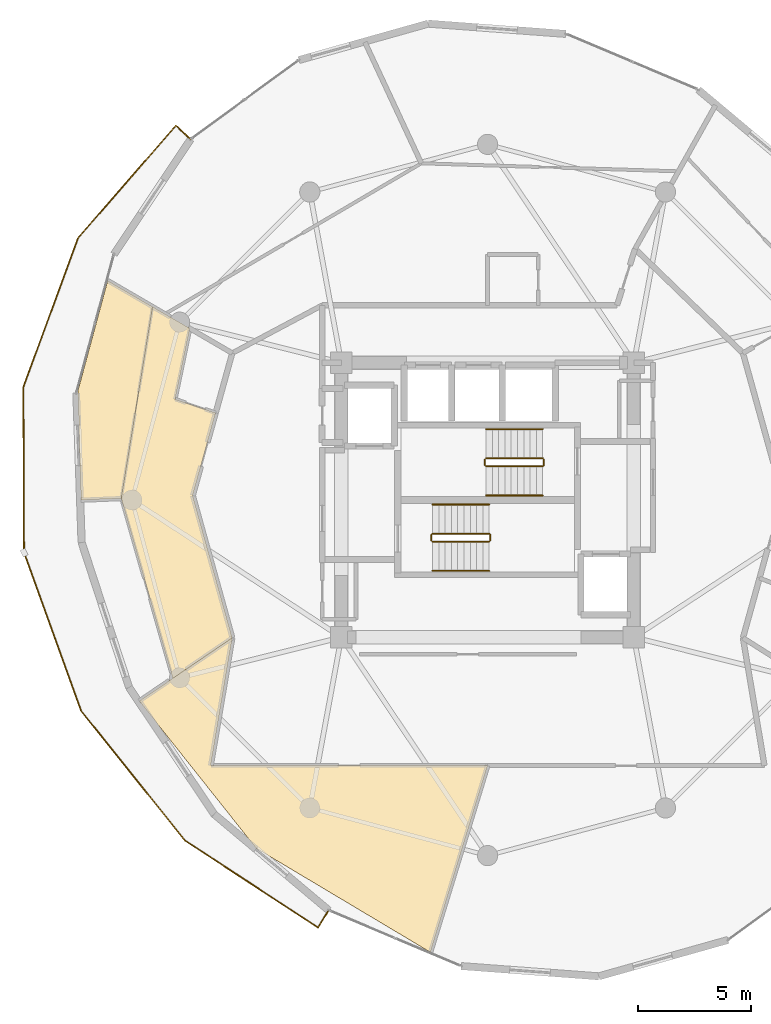
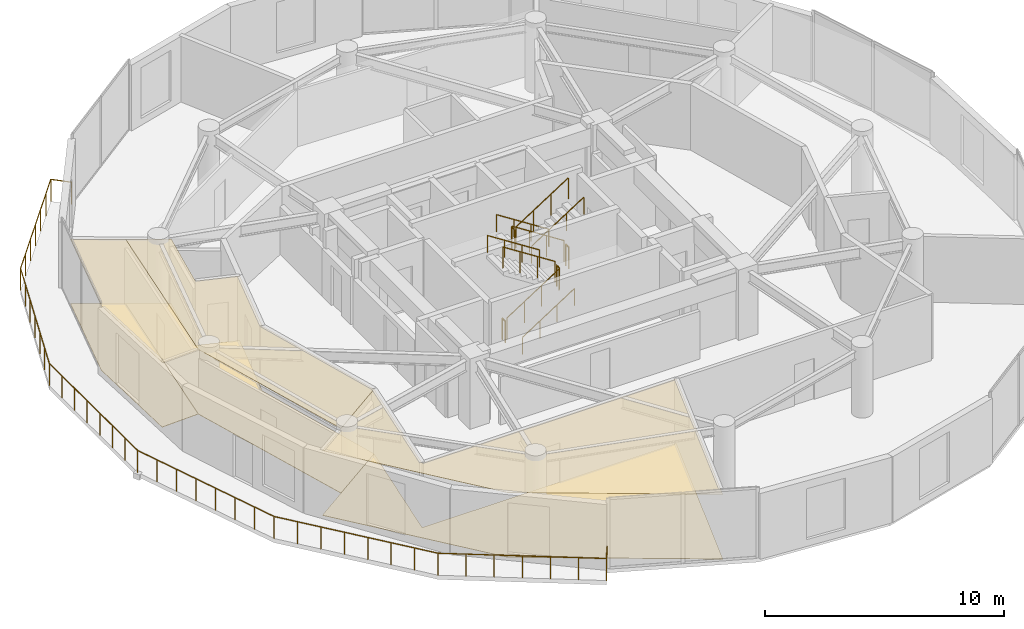
# One storey, part 17 of 18: 13 railings, 6 coverings.
"""IFC4 building model written with IfcOpenShell, lengths in metres."""

from ifc_helpers import new_model, si_unit, direction, frame, origin, origin_2d, place, context, subcontext, project, spatial, polyline, circle, outline, extrude, material, layer, layer_set, type_object, element, save


model = new_model("IFC4")

# Units and contexts
model_context = context("Model", 3, precision=1e-05, world=origin(), true_north=direction((0.0, 1.0)))
body_context = subcontext(model_context, "Body", "Model", "MODEL_VIEW")
ifc_project = project(units=[si_unit("LENGTHUNIT", "METRE"), si_unit("AREAUNIT", "SQUARE_METRE"), si_unit("VOLUMEUNIT", "CUBIC_METRE"), si_unit("PLANEANGLEUNIT", "RADIAN"), si_unit("MASSUNIT", "GRAM", prefix="KILO")], contexts=[model_context])

# Site, building, storey
site_placement = place(None, origin())
site = spatial("IfcSite", under=ifc_project, at=site_placement, CompositionType="ELEMENT")
building_placement = place(site_placement, origin())
building = spatial("IfcBuilding", under=site, at=building_placement, Name="Solvirekh Grand Hotel", CompositionType="ELEMENT")
storey_placement = place(building_placement, frame((0.0, 0.0, 202.0)))
storey = spatial("IfcBuildingStorey", under=building, at=storey_placement, Name="L52", CompositionType="ELEMENT", Elevation=202.0)

# Coverings
ifc_material_1 = material(Name="Acoustic Mineral Ceiling Tile")
ifc_layer_1 = layer(ifc_material_1, 0.02490234375)
ifc_layer_set_1 = layer_set([ifc_layer_1], Name="Acoustic Mineral Ceiling Tile")
covering_type_1 = type_object("IfcCoveringType", Name="Cov_Ceiling_Acoustic", PredefinedType="CEILING", material=ifc_layer_set_1)
covering_1_placement = place(storey_placement, frame((0.0, 0.0, 3.31005859375)))
element("IfcCovering", 1, at=covering_1_placement, inside=storey, type_object=covering_type_1, Name="L52 Executive Suite 5402 Living Room acoustic ceiling", PredefinedType="CEILING", context=body_context, shape_type="SweptSolid", body=[
    extrude(outline(polyline([(-13.882080078125, 4.47509765625), (-13.22705078125, 7.6201171875), (-14.886962890625, 8.5859375), (-16.277099609375, 0.072021484375), (-13.987060546875, -7.922119140625), (-11.344970703125, -6.125), (-13.10009765625, 0.199951171875), (-12.08203125, 3.868896484375), (-13.882080078125, 4.47509765625)])), origin(), (0.0, 0.0, 1.0), 0.017822265625),
])
covering_2_placement = place(storey_placement, frame((0.0, 0.0, 3.31005859375)))
element("IfcCovering", 2, at=covering_2_placement, inside=storey, type_object=covering_type_1, Name="L52 Executive Suite 5402 Master Bedroom acoustic ceiling", PredefinedType="CEILING", context=body_context, shape_type="SweptSolid", body=[
    extrude(outline(polyline([(-16.87890625, 9.7451171875), (-18.195068359375, 4.875), (-18.06396484375, 0.0), (-16.277099609375, 0.072021484375), (-14.886962890625, 8.5859375), (-16.87890625, 9.7451171875)])), origin(), (0.0, 0.0, 1.0), 0.017822265625),
])
covering_3_placement = place(storey_placement, frame((0.0, 0.0, 3.31005859375)))
element("IfcCovering", 3, at=covering_3_placement, inside=storey, type_object=covering_type_1, Name="L52 L52 Private Tea & Study Lounge acoustic ceiling", PredefinedType="CEILING", context=body_context, shape_type="SweptSolid", body=[
    extrude(outline(polyline([(-15.472900390625, -8.93310546875), (-10.281005859375, -15.47412109375), (-2.5380859375, -20.093994140625), (0.0, -11.800048828125), (-12.300048828125, -11.800048828125), (-11.344970703125, -6.125), (-15.472900390625, -8.93310546875)])), origin(), (0.0, 0.0, 1.0), 0.017822265625),
])
ifc_material_2 = material(Name="Porcelain Stoneware Flooring", Category="masonry")
ifc_layer_2 = layer(ifc_material_2, 0.030029296875)
ifc_layer_set_2 = layer_set([ifc_layer_2], Name="Porcelain Stoneware Flooring")
covering_type_2 = type_object("IfcCoveringType", Name="Cov_Floor_Stone", PredefinedType="FLOORING", material=ifc_layer_set_2)
covering_4_placement = place(storey_placement, origin())
element("IfcCovering", 4, at=covering_4_placement, inside=storey, type_object=covering_type_2, Name="L52 Executive Suite 5402 Living Room polished granite flooring", PredefinedType="FLOORING", context=body_context, shape_type="SweptSolid", body=[
    extrude(outline(polyline([(-13.882080078125, 4.47509765625), (-13.22705078125, 7.6201171875), (-14.886962890625, 8.5859375), (-16.277099609375, 0.072021484375), (-13.987060546875, -7.922119140625), (-11.344970703125, -6.125), (-13.10009765625, 0.199951171875), (-12.08203125, 3.868896484375), (-13.882080078125, 4.47509765625)])), origin(), (0.0, 0.0, 1.0), 0.02001953125),
])
covering_5_placement = place(storey_placement, origin())
element("IfcCovering", 5, at=covering_5_placement, inside=storey, type_object=covering_type_2, Name="L52 Executive Suite 5402 Master Bedroom polished granite flooring", PredefinedType="FLOORING", context=body_context, shape_type="SweptSolid", body=[
    extrude(outline(polyline([(-16.87890625, 9.7451171875), (-18.195068359375, 4.875), (-18.06396484375, 0.0), (-16.277099609375, 0.072021484375), (-14.886962890625, 8.5859375), (-16.87890625, 9.7451171875)])), origin(), (0.0, 0.0, 1.0), 0.02001953125),
])
covering_6_placement = place(storey_placement, origin())
element("IfcCovering", 6, at=covering_6_placement, inside=storey, type_object=covering_type_2, Name="L52 L52 Private Tea & Study Lounge polished granite flooring", PredefinedType="FLOORING", context=body_context, shape_type="SweptSolid", body=[
    extrude(outline(polyline([(-15.472900390625, -8.93310546875), (-10.281005859375, -15.47412109375), (-2.5380859375, -20.093994140625), (0.0, -11.800048828125), (-12.300048828125, -11.800048828125), (-11.344970703125, -6.125), (-15.472900390625, -8.93310546875)])), origin(), (0.0, 0.0, 1.0), 0.02001953125),
])

# Railings
ifc_material_3 = material(Name="Anodized Bronze Aluminium 6063-T6", Category="aluminium")
railing_type_1 = type_object("IfcRailingType", Name="Guard_ExtGlass_1150", PredefinedType="BALUSTRADE", material=ifc_material_3)
railing_1_placement = place(storey_placement, frame((-13.195068359375, 16.01806640625, 0.0)))
element("IfcRailing", 7, at=railing_1_placement, inside=storey, type_object=railing_type_1, Name="L52 balc perimeter glass balustrade", PredefinedType="BALUSTRADE", context=body_context, shape_type="SweptSolid", body=[
    extrude(circle(Radius=0.02392578125, at=origin_2d()), frame((0.0, 0.0, 1.1259765625), z_axis=(-0.724118581965, 0.689675488366, 0.0), x_axis=(-0.689675488366, -0.724118581965, 0.0)), (0.0, 0.0, 1.0), 0.900146484375),
    extrude(circle(Radius=0.02392578125, at=origin_2d()), frame((-0.65185546875, 0.620849609375, 1.1259765625), z_axis=(-0.656300903441, -0.754499253905, 0.0), x_axis=(0.754499253905, -0.656300903441, 0.0)), (0.0, 0.0, 1.0), 6.628173828125),
    extrude(circle(Radius=0.02392578125, at=origin_2d()), frame((-5.001953125, -4.380126953125, 1.1259765625), z_axis=(-0.344540450199, -0.938771472818, 0.0), x_axis=(0.938771472818, -0.344540450199, 0.0)), (0.0, 0.0, 1.0), 7.052734375),
    extrude(circle(Radius=0.02392578125, at=origin_2d()), frame((-7.431884765625, -11.0009765625, 1.1259765625), z_axis=(0.004082140492, -0.99999166803, 0.0), x_axis=(0.99999166803, 0.004082140492, 0.0)), (0.0, 0.0, 1.0), 7.356201171875),
    extrude(circle(Radius=0.02392578125, at=origin_2d()), frame((-7.40185546875, -18.357177734375, 1.1259765625), z_axis=(0.33956258578, -0.940583462718, 0.0), x_axis=(0.940583462718, 0.33956258578, 0.0)), (0.0, 0.0, 1.0), 7.473876953125),
    extrude(circle(Radius=0.02392578125, at=origin_2d()), frame((-4.864013671875, -25.386962890625, 1.1259765625), z_axis=(0.62480399034, -0.78078164275, 0.0), x_axis=(0.78078164275, 0.62480399034, 0.0)), (0.0, 0.0, 1.0), 7.37841796875),
    extrude(circle(Radius=0.02392578125, at=origin_2d()), frame((-0.25390625, -31.14794921875, 1.1259765625), z_axis=(0.837159450542, -0.546958914699, 0.0), x_axis=(0.546958914699, 0.837159450542, 0.0)), (0.0, 0.0, 1.0), 7.06689453125),
    extrude(circle(Radius=0.02392578125, at=origin_2d()), frame((5.662109375, -35.01318359375, 1.1259765625), z_axis=(0.524475834861, 0.851425333571, 0.0), x_axis=(-0.851425333571, 0.524475834861, 0.0)), (0.0, 0.0, 1.0), 0.89990234375),
    extrude(circle(Radius=0.02099609375, at=origin_2d()), origin(), (0.0, 0.0, 1.0), 1.101806640625),
    extrude(circle(Radius=0.02099609375, at=origin_2d()), frame((-0.65185546875, 0.620849609375, 0.0)), (0.0, 0.0, 1.0), 1.101806640625),
    extrude(circle(Radius=0.02099609375, at=origin_2d()), frame((-1.376953125, -0.212646484375, 0.0)), (0.0, 0.0, 1.0), 1.101806640625),
    extrude(circle(Radius=0.02099609375, at=origin_2d()), frame((-2.101806640625, -1.046142578125, 0.0)), (0.0, 0.0, 1.0), 1.101806640625),
    extrude(circle(Radius=0.02099609375, at=origin_2d()), frame((-2.826904296875, -1.879638671875, 0.0)), (0.0, 0.0, 1.0), 1.101806640625),
    extrude(circle(Radius=0.02099609375, at=origin_2d()), frame((-3.552001953125, -2.713134765625, 0.0)), (0.0, 0.0, 1.0), 1.101806640625),
    extrude(circle(Radius=0.02099609375, at=origin_2d()), frame((-4.27685546875, -3.546630859375, 0.0)), (0.0, 0.0, 1.0), 1.101806640625),
    extrude(circle(Radius=0.02099609375, at=origin_2d()), frame((-5.001953125, -4.380126953125, 0.0)), (0.0, 0.0, 1.0), 1.101806640625),
    extrude(circle(Radius=0.02099609375, at=origin_2d()), frame((-5.406982421875, -5.483642578125, 0.0)), (0.0, 0.0, 1.0), 1.101806640625),
    extrude(circle(Radius=0.02099609375, at=origin_2d()), frame((-5.81201171875, -6.587158203125, 0.0)), (0.0, 0.0, 1.0), 1.101806640625),
    extrude(circle(Radius=0.02099609375, at=origin_2d()), frame((-6.216796875, -7.6904296875, 0.0)), (0.0, 0.0, 1.0), 1.101806640625),
    extrude(circle(Radius=0.02099609375, at=origin_2d()), frame((-6.621826171875, -8.7939453125, 0.0)), (0.0, 0.0, 1.0), 1.101806640625),
    extrude(circle(Radius=0.02099609375, at=origin_2d()), frame((-7.02685546875, -9.8974609375, 0.0)), (0.0, 0.0, 1.0), 1.101806640625),
    extrude(circle(Radius=0.02099609375, at=origin_2d()), frame((-7.431884765625, -11.0009765625, 0.0)), (0.0, 0.0, 1.0), 1.101806640625),
    extrude(circle(Radius=0.02099609375, at=origin_2d()), frame((-7.427490234375, -12.0517578125, 0.0)), (0.0, 0.0, 1.0), 1.101806640625),
    extrude(circle(Radius=0.02099609375, at=origin_2d()), frame((-7.42333984375, -13.102783203125, 0.0)), (0.0, 0.0, 1.0), 1.101806640625),
    extrude(circle(Radius=0.02099609375, at=origin_2d()), frame((-7.4189453125, -14.153564453125, 0.0)), (0.0, 0.0, 1.0), 1.101806640625),
    extrude(circle(Radius=0.02099609375, at=origin_2d()), frame((-7.414794921875, -15.20458984375, 0.0)), (0.0, 0.0, 1.0), 1.101806640625),
    extrude(circle(Radius=0.02099609375, at=origin_2d()), frame((-7.410400390625, -16.25537109375, 0.0)), (0.0, 0.0, 1.0), 1.101806640625),
    extrude(circle(Radius=0.02099609375, at=origin_2d()), frame((-7.40625, -17.306396484375, 0.0)), (0.0, 0.0, 1.0), 1.101806640625),
    extrude(circle(Radius=0.02099609375, at=origin_2d()), frame((-7.40185546875, -18.357177734375, 0.0)), (0.0, 0.0, 1.0), 1.101806640625),
    extrude(circle(Radius=0.02099609375, at=origin_2d()), frame((-7.039306640625, -19.361328125, 0.0)), (0.0, 0.0, 1.0), 1.101806640625),
    extrude(circle(Radius=0.02099609375, at=origin_2d()), frame((-6.6767578125, -20.36572265625, 0.0)), (0.0, 0.0, 1.0), 1.101806640625),
    extrude(circle(Radius=0.02099609375, at=origin_2d()), frame((-6.314208984375, -21.369873046875, 0.0)), (0.0, 0.0, 1.0), 1.101806640625),
    extrude(circle(Radius=0.02099609375, at=origin_2d()), frame((-5.95166015625, -22.374267578125, 0.0)), (0.0, 0.0, 1.0), 1.101806640625),
    extrude(circle(Radius=0.02099609375, at=origin_2d()), frame((-5.589111328125, -23.37841796875, 0.0)), (0.0, 0.0, 1.0), 1.101806640625),
    extrude(circle(Radius=0.02099609375, at=origin_2d()), frame((-5.2265625, -24.3828125, 0.0)), (0.0, 0.0, 1.0), 1.101806640625),
    extrude(circle(Radius=0.02099609375, at=origin_2d()), frame((-4.864013671875, -25.386962890625, 0.0)), (0.0, 0.0, 1.0), 1.101806640625),
    extrude(circle(Radius=0.02099609375, at=origin_2d()), frame((-4.205322265625, -26.2099609375, 0.0)), (0.0, 0.0, 1.0), 1.101806640625),
    extrude(circle(Radius=0.02099609375, at=origin_2d()), frame((-3.546875, -27.032958984375, 0.0)), (0.0, 0.0, 1.0), 1.101806640625),
    extrude(circle(Radius=0.02099609375, at=origin_2d()), frame((-2.88818359375, -27.85595703125, 0.0)), (0.0, 0.0, 1.0), 1.101806640625),
    extrude(circle(Radius=0.02099609375, at=origin_2d()), frame((-2.229736328125, -28.678955078125, 0.0)), (0.0, 0.0, 1.0), 1.101806640625),
    extrude(circle(Radius=0.02099609375, at=origin_2d()), frame((-1.571044921875, -29.501953125, 0.0)), (0.0, 0.0, 1.0), 1.101806640625),
    extrude(circle(Radius=0.02099609375, at=origin_2d()), frame((-0.91259765625, -30.324951171875, 0.0)), (0.0, 0.0, 1.0), 1.101806640625),
    extrude(circle(Radius=0.02099609375, at=origin_2d()), frame((-0.25390625, -31.14794921875, 0.0)), (0.0, 0.0, 1.0), 1.101806640625),
    extrude(circle(Radius=0.02099609375, at=origin_2d()), frame((0.732177734375, -31.792236328125, 0.0)), (0.0, 0.0, 1.0), 1.101806640625),
    extrude(circle(Radius=0.02099609375, at=origin_2d()), frame((1.718017578125, -32.436279296875, 0.0)), (0.0, 0.0, 1.0), 1.101806640625),
    extrude(circle(Radius=0.02099609375, at=origin_2d()), frame((2.7041015625, -33.08056640625, 0.0)), (0.0, 0.0, 1.0), 1.101806640625),
    extrude(circle(Radius=0.02099609375, at=origin_2d()), frame((3.690185546875, -33.724853515625, 0.0)), (0.0, 0.0, 1.0), 1.101806640625),
    extrude(circle(Radius=0.02099609375, at=origin_2d()), frame((4.676025390625, -34.368896484375, 0.0)), (0.0, 0.0, 1.0), 1.101806640625),
    extrude(circle(Radius=0.02099609375, at=origin_2d()), frame((5.662109375, -35.01318359375, 0.0)), (0.0, 0.0, 1.0), 1.101806640625),
    extrude(circle(Radius=0.02099609375, at=origin_2d()), frame((6.134033203125, -34.2470703125, 0.0)), (0.0, 0.0, 1.0), 1.101806640625),
])
ifc_material_4 = material(Name="Steel S355", Category="steel")
railing_type_2 = type_object("IfcRailingType", Name="Guard_Stair_1100", PredefinedType="GUARDRAIL", material=ifc_material_4)
railing_2_placement = place(storey_placement, frame((-2.449951171875, -1.85009765625, 0.179931640625)))
element("IfcRailing", 8, at=railing_2_placement, inside=storey, type_object=railing_type_2, Name="L52 ST-1 stair guard 1", PredefinedType="GUARDRAIL", context=body_context, shape_type="SweptSolid", body=[
    extrude(circle(Radius=0.02392578125, at=origin_2d()), frame((0.0, 0.0, 1.076171875), z_axis=(0.841162588446, 0.0, 0.540782303519), x_axis=(0.0, 1.0, 0.0)), (0.0, 0.0, 1.0), 2.995849609375),
    extrude(circle(Radius=0.02099609375, at=origin_2d()), origin(), (0.0, 0.0, 1.0), 1.052001953125),
    extrude(circle(Radius=0.02099609375, at=origin_2d()), frame((0.840087890625, 0.0, 0.5400390625)), (0.0, 0.0, 1.0), 1.052001953125),
    extrude(circle(Radius=0.02099609375, at=origin_2d()), frame((1.679931640625, 0.0, 1.080078125)), (0.0, 0.0, 1.0), 1.052001953125),
    extrude(circle(Radius=0.02099609375, at=origin_2d()), frame((2.52001953125, 0.0, 1.6201171875)), (0.0, 0.0, 1.0), 1.052001953125),
])
railing_3_placement = place(storey_placement, frame((0.1201171875, -1.800048828125, 1.800048828125)))
element("IfcRailing", 9, at=railing_3_placement, inside=storey, type_object=railing_type_2, Name="L52 ST-1 stair guard 2", PredefinedType="GUARDRAIL", context=body_context, shape_type="SweptSolid", body=[
    extrude(circle(Radius=0.02392578125, at=origin_2d()), frame((0.0, 0.0, 1.076171875), z_axis=(0.0, 1.0, 0.0), x_axis=(-1.0, 0.0, 0.0)), (0.0, 0.0, 1.0), 0.25),
    extrude(circle(Radius=0.02099609375, at=origin_2d()), origin(), (0.0, 0.0, 1.0), 1.052001953125),
    extrude(circle(Radius=0.02099609375, at=origin_2d()), frame((0.0, 0.25, 0.0)), (0.0, 0.0, 1.0), 1.052001953125),
])
railing_4_placement = place(storey_placement, frame((0.070068359375, -1.5, 1.97998046875)))
element("IfcRailing", 10, at=railing_4_placement, inside=storey, type_object=railing_type_2, Name="L52 ST-1 stair guard 3", PredefinedType="GUARDRAIL", context=body_context, shape_type="SweptSolid", body=[
    extrude(circle(Radius=0.02392578125, at=origin_2d()), frame((0.0, 0.0, 1.076171875), z_axis=(-0.841162588446, 0.0, 0.540782303519), x_axis=(0.0, -1.0, 0.0)), (0.0, 0.0, 1.0), 2.995849609375),
    extrude(circle(Radius=0.02099609375, at=origin_2d()), origin(), (0.0, 0.0, 1.0), 1.052001953125),
    extrude(circle(Radius=0.02099609375, at=origin_2d()), frame((-0.840087890625, 0.0, 0.5400390625)), (0.0, 0.0, 1.0), 1.052001953125),
    extrude(circle(Radius=0.02099609375, at=origin_2d()), frame((-1.679931640625, 0.0, 1.080078125)), (0.0, 0.0, 1.0), 1.052001953125),
    extrude(circle(Radius=0.02099609375, at=origin_2d()), frame((-2.52001953125, 0.0, 1.6201171875)), (0.0, 0.0, 1.0), 1.052001953125),
])
railing_5_placement = place(storey_placement, frame((-2.5, -1.800048828125, 0.0)))
element("IfcRailing", 11, at=railing_5_placement, inside=storey, type_object=railing_type_2, Name="L52 ST-1 stair guard 4", PredefinedType="GUARDRAIL", context=body_context, shape_type="SweptSolid", body=[
    extrude(circle(Radius=0.02392578125, at=origin_2d()), frame((0.0, 0.0, 1.076171875), z_axis=(0.0, 1.0, 0.0), x_axis=(-1.0, 0.0, 0.0)), (0.0, 0.0, 1.0), 0.25),
    extrude(circle(Radius=0.02099609375, at=origin_2d()), origin(), (0.0, 0.0, 1.0), 1.052001953125),
    extrude(circle(Radius=0.02099609375, at=origin_2d()), frame((0.0, 0.25, 0.0)), (0.0, 0.0, 1.0), 1.052001953125),
])
railing_6_placement = place(storey_placement, frame((2.449951171875, 1.85009765625, 0.179931640625)))
element("IfcRailing", 12, at=railing_6_placement, inside=storey, type_object=railing_type_2, Name="L52 ST-2 stair guard 1", PredefinedType="GUARDRAIL", context=body_context, shape_type="SweptSolid", body=[
    extrude(circle(Radius=0.02392578125, at=origin_2d()), frame((0.0, 0.0, 1.076171875), z_axis=(-0.841162588446, 0.0, 0.540782303519), x_axis=(0.0, -1.0, 0.0)), (0.0, 0.0, 1.0), 2.995849609375),
    extrude(circle(Radius=0.02099609375, at=origin_2d()), origin(), (0.0, 0.0, 1.0), 1.052001953125),
    extrude(circle(Radius=0.02099609375, at=origin_2d()), frame((-0.840087890625, 0.0, 0.5400390625)), (0.0, 0.0, 1.0), 1.052001953125),
    extrude(circle(Radius=0.02099609375, at=origin_2d()), frame((-1.679931640625, 0.0, 1.080078125)), (0.0, 0.0, 1.0), 1.052001953125),
    extrude(circle(Radius=0.02099609375, at=origin_2d()), frame((-2.52001953125, 0.0, 1.6201171875)), (0.0, 0.0, 1.0), 1.052001953125),
])
railing_7_placement = place(storey_placement, frame((-0.1201171875, 1.800048828125, 1.800048828125)))
element("IfcRailing", 13, at=railing_7_placement, inside=storey, type_object=railing_type_2, Name="L52 ST-2 stair guard 2", PredefinedType="GUARDRAIL", context=body_context, shape_type="SweptSolid", body=[
    extrude(circle(Radius=0.02392578125, at=origin_2d()), frame((0.0, 0.0, 1.076171875), z_axis=(0.0, -1.0, 0.0), x_axis=(1.0, 0.0, 0.0)), (0.0, 0.0, 1.0), 0.25),
    extrude(circle(Radius=0.02099609375, at=origin_2d()), origin(), (0.0, 0.0, 1.0), 1.052001953125),
    extrude(circle(Radius=0.02099609375, at=origin_2d()), frame((0.0, -0.25, 0.0)), (0.0, 0.0, 1.0), 1.052001953125),
])
railing_8_placement = place(storey_placement, frame((-0.070068359375, 1.5, 1.97998046875)))
element("IfcRailing", 14, at=railing_8_placement, inside=storey, type_object=railing_type_2, Name="L52 ST-2 stair guard 3", PredefinedType="GUARDRAIL", context=body_context, shape_type="SweptSolid", body=[
    extrude(circle(Radius=0.02392578125, at=origin_2d()), frame((0.0, 0.0, 1.076171875), z_axis=(0.841162588446, 0.0, 0.540782303519), x_axis=(0.0, 1.0, 0.0)), (0.0, 0.0, 1.0), 2.995849609375),
    extrude(circle(Radius=0.02099609375, at=origin_2d()), origin(), (0.0, 0.0, 1.0), 1.052001953125),
    extrude(circle(Radius=0.02099609375, at=origin_2d()), frame((0.840087890625, 0.0, 0.5400390625)), (0.0, 0.0, 1.0), 1.052001953125),
    extrude(circle(Radius=0.02099609375, at=origin_2d()), frame((1.679931640625, 0.0, 1.080078125)), (0.0, 0.0, 1.0), 1.052001953125),
    extrude(circle(Radius=0.02099609375, at=origin_2d()), frame((2.52001953125, 0.0, 1.6201171875)), (0.0, 0.0, 1.0), 1.052001953125),
])
railing_9_placement = place(storey_placement, frame((2.5, 1.800048828125, 0.0)))
element("IfcRailing", 15, at=railing_9_placement, inside=storey, type_object=railing_type_2, Name="L52 ST-2 stair guard 4", PredefinedType="GUARDRAIL", context=body_context, shape_type="SweptSolid", body=[
    extrude(circle(Radius=0.02392578125, at=origin_2d()), frame((0.0, 0.0, 1.076171875), z_axis=(0.0, -1.0, 0.0), x_axis=(1.0, 0.0, 0.0)), (0.0, 0.0, 1.0), 0.25),
    extrude(circle(Radius=0.02099609375, at=origin_2d()), origin(), (0.0, 0.0, 1.0), 1.052001953125),
    extrude(circle(Radius=0.02099609375, at=origin_2d()), frame((0.0, -0.25, 0.0)), (0.0, 0.0, 1.0), 1.052001953125),
])
railing_type_3 = type_object("IfcRailingType", Name="Handrail_Wall_900", PredefinedType="HANDRAIL", material=ifc_material_3)
railing_10_placement = place(storey_placement, frame((-2.449951171875, -3.14990234375, 0.179931640625)))
element("IfcRailing", 16, at=railing_10_placement, inside=storey, type_object=railing_type_3, Name="L52 ST-1 stair handrail 1", PredefinedType="HANDRAIL", context=body_context, shape_type="SweptSolid", body=[
    extrude(circle(Radius=0.02392578125, at=origin_2d()), frame((0.0, 0.0, 0.8759765625), z_axis=(0.841162588446, 0.0, 0.540782303519), x_axis=(0.0, 1.0, 0.0)), (0.0, 0.0, 1.0), 2.995849609375),
    extrude(circle(Radius=0.02099609375, at=origin_2d()), origin(), (0.0, 0.0, 1.0), 0.851806640625),
    extrude(circle(Radius=0.02099609375, at=origin_2d()), frame((0.840087890625, 0.0, 0.5400390625)), (0.0, 0.0, 1.0), 0.851806640625),
    extrude(circle(Radius=0.02099609375, at=origin_2d()), frame((1.679931640625, 0.0, 1.080078125)), (0.0, 0.0, 1.0), 0.851806640625),
    extrude(circle(Radius=0.02099609375, at=origin_2d()), frame((2.52001953125, 0.0, 1.6201171875)), (0.0, 0.0, 1.0), 0.851806640625),
])
for number, where, name in (
    (17, (0.070068359375, -0.199951171875, 1.97998046875), "L52 ST-1 stair handrail 2"),
    (18, (2.449951171875, 3.14990234375, 0.179931640625), "L52 ST-2 stair handrail 1"),
):
    element("IfcRailing", number, at=place(storey_placement, frame(where)), inside=storey, type_object=railing_type_3, Name=name, PredefinedType="HANDRAIL", context=body_context, shape_type="SweptSolid", body=[
        extrude(circle(Radius=0.02392578125, at=origin_2d()), frame((0.0, 0.0, 0.8759765625), z_axis=(-0.841162588446, 0.0, 0.540782303519), x_axis=(0.0, -1.0, 0.0)), (0.0, 0.0, 1.0), 2.995849609375),
        extrude(circle(Radius=0.02099609375, at=origin_2d()), origin(), (0.0, 0.0, 1.0), 0.851806640625),
        extrude(circle(Radius=0.02099609375, at=origin_2d()), frame((-0.840087890625, 0.0, 0.5400390625)), (0.0, 0.0, 1.0), 0.851806640625),
        extrude(circle(Radius=0.02099609375, at=origin_2d()), frame((-1.679931640625, 0.0, 1.080078125)), (0.0, 0.0, 1.0), 0.851806640625),
        extrude(circle(Radius=0.02099609375, at=origin_2d()), frame((-2.52001953125, 0.0, 1.6201171875)), (0.0, 0.0, 1.0), 0.851806640625),
    ])
railing_11_placement = place(storey_placement, frame((-0.070068359375, 0.199951171875, 1.97998046875)))
element("IfcRailing", 19, at=railing_11_placement, inside=storey, type_object=railing_type_3, Name="L52 ST-2 stair handrail 2", PredefinedType="HANDRAIL", context=body_context, shape_type="SweptSolid", body=[
    extrude(circle(Radius=0.02392578125, at=origin_2d()), frame((0.0, 0.0, 0.8759765625), z_axis=(0.841162588446, 0.0, 0.540782303519), x_axis=(0.0, 1.0, 0.0)), (0.0, 0.0, 1.0), 2.995849609375),
    extrude(circle(Radius=0.02099609375, at=origin_2d()), origin(), (0.0, 0.0, 1.0), 0.851806640625),
    extrude(circle(Radius=0.02099609375, at=origin_2d()), frame((0.840087890625, 0.0, 0.5400390625)), (0.0, 0.0, 1.0), 0.851806640625),
    extrude(circle(Radius=0.02099609375, at=origin_2d()), frame((1.679931640625, 0.0, 1.080078125)), (0.0, 0.0, 1.0), 0.851806640625),
    extrude(circle(Radius=0.02099609375, at=origin_2d()), frame((2.52001953125, 0.0, 1.6201171875)), (0.0, 0.0, 1.0), 0.851806640625),
])

save(model, "model.ifc")
